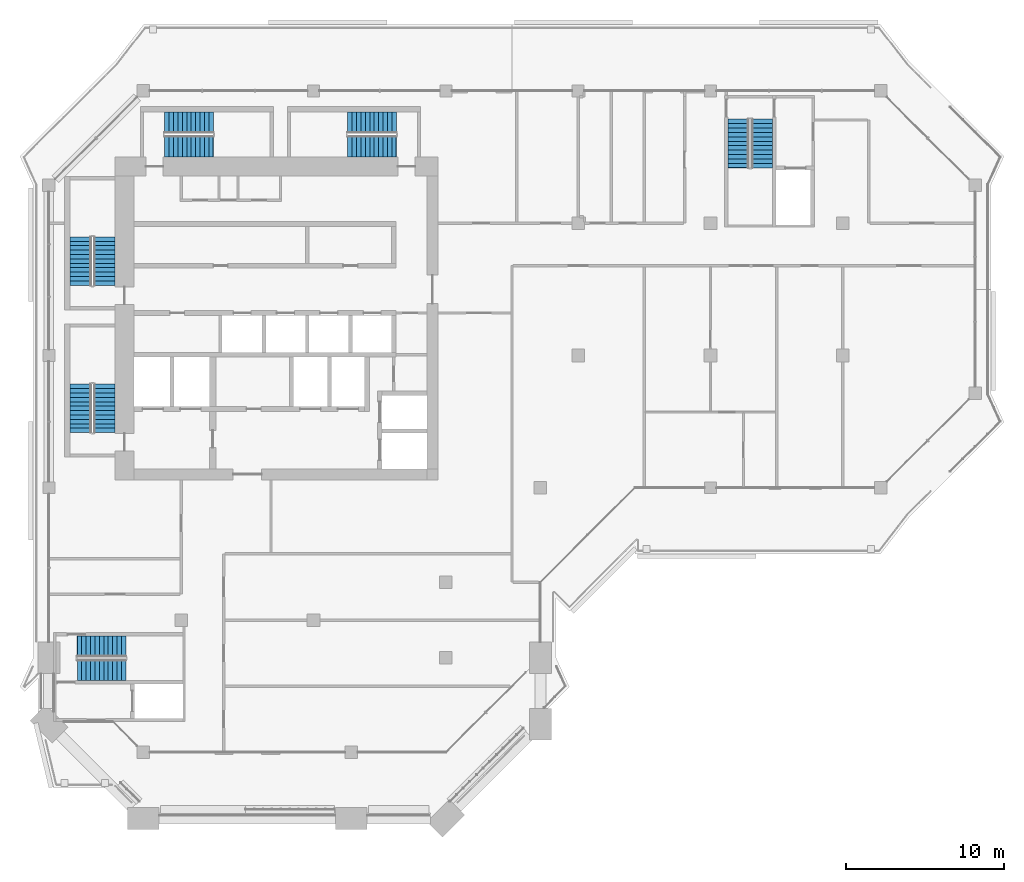
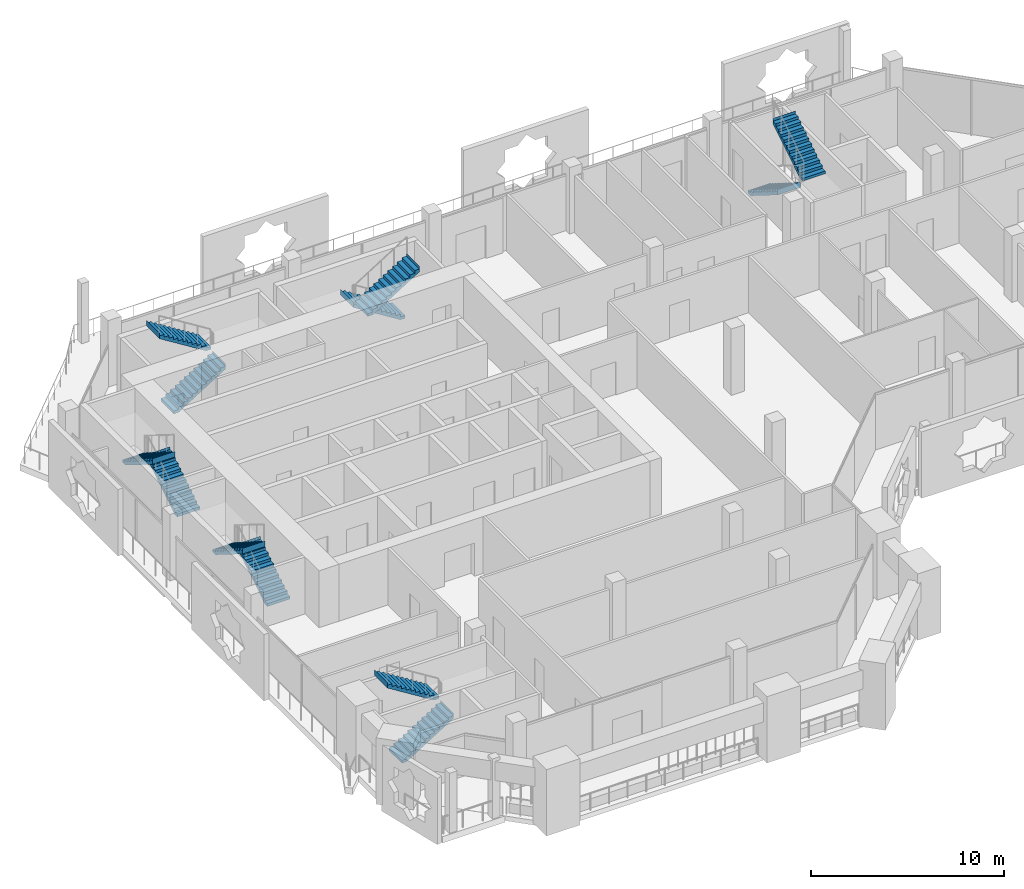
# One storey, part 14 of 20: 12 stair flights, 6 elements without a shape of their own.
"""IFC4 building model written with IfcOpenShell, lengths in metres."""

from ifc_helpers import new_model, si_unit, direction, frame, origin, place, context, subcontext, project, spatial, polyline, outline, extrude, material, type_object, element, aggregate, save


model = new_model("IFC4")

# Units and contexts
model_context = context("Model", 3, precision=1e-05, world=origin(), true_north=direction((0.0, 1.0)))
body_context = subcontext(model_context, "Body", "Model", "MODEL_VIEW")
ifc_project = project(units=[si_unit("LENGTHUNIT", "METRE"), si_unit("AREAUNIT", "SQUARE_METRE"), si_unit("VOLUMEUNIT", "CUBIC_METRE"), si_unit("PLANEANGLEUNIT", "RADIAN"), si_unit("MASSUNIT", "GRAM", prefix="KILO")], contexts=[model_context])

# Site, building, storey
site_placement = place(None, origin())
site = spatial("IfcSite", under=ifc_project, at=site_placement, CompositionType="ELEMENT")
building_placement = place(site_placement, origin())
building = spatial("IfcBuilding", under=site, at=building_placement, Name="Kawkab Arch Medical Tower", CompositionType="ELEMENT")
storey_placement = place(building_placement, frame((0.0, 0.0, 290.199951171875)))
storey = spatial("IfcBuildingStorey", under=building, at=storey_placement, Name="L67", CompositionType="ELEMENT", Elevation=290.199951171875)

# Stair, stair flights
ifc_material_1 = material(Name="Concrete C40/50", Category="concrete")
stair_type = type_object("IfcStairType", Name="Exit stair 1350", PredefinedType="HALF_TURN_STAIR", material=ifc_material_1)
placement = place(storey_placement, origin())
stair_1 = element("IfcStair", 1, at=placement, inside=storey, type_object=stair_type, Name="L67 Exit stair ST1", PredefinedType="HALF_TURN_STAIR")
ifc_material_2 = material(Name="Concrete C40/50", Category="concrete")
stair_flight_type = type_object("IfcStairFlightType", Name="Exit stair flight 1350", PredefinedType="STRAIGHT", material=ifc_material_2)
stair_flight_1_placement = place(storey_placement, frame((3.52490234375, -12.35009765625, 0.0), z_axis=(0.0, 0.0, 1.0), x_axis=(0.0, 1.0, 0.0)))
stair_flight_1 = element("IfcStairFlight", 2, at=stair_flight_1_placement, type_object=stair_flight_type, Name="ST1 flight 1", NumberOfRisers=12, NumberOfTreads=11, PredefinedType="STRAIGHT", RiserHeight=0.175, TreadLength=0.28, context=body_context, shape_type="SweptSolid", body=[
    extrude(outline(polyline([(-0.0029296875, 0.0), (-0.0029296875, 0.175048828125), (0.0, 0.175048828125), (0.280029296875, 0.175048828125), (0.280029296875, 0.35009765625), (0.56005859375, 0.35009765625), (0.56005859375, 0.52490234375), (0.840087890625, 0.52490234375), (0.840087890625, 0.699951171875), (1.1201171875, 0.699951171875), (1.1201171875, 0.875), (1.39990234375, 0.875), (1.39990234375, 1.050048828125), (1.679931640625, 1.050048828125), (1.679931640625, 1.22509765625), (1.9599609375, 1.22509765625), (1.9599609375, 1.39990234375), (2.239990234375, 1.39990234375), (2.239990234375, 1.574951171875), (2.52001953125, 1.574951171875), (2.52001953125, 1.75), (2.800048828125, 1.75), (2.800048828125, 1.925048828125), (3.080078125, 1.925048828125), (3.080078125, 2.10009765625), (3.0830078125, 2.10009765625), (3.0830078125, 1.748291015625), (3.080078125, 1.748291015625), (0.28271484375, 0.0), (-0.0029296875, 0.0)])), frame((0.0, 0.675048828125, 0.0), z_axis=(0.0, -1.0, 0.0), x_axis=(1.0, 0.0, 0.0)), (0.0, 0.0, 1.0), 1.35009765625),
])
stair_flight_2_placement = place(storey_placement, frame((2.02490234375, -9.27001953125, 2.10009765625), z_axis=(0.0, 0.0, 1.0), x_axis=(0.0, -1.0, 0.0)))
stair_flight_2 = element("IfcStairFlight", 3, at=stair_flight_2_placement, type_object=stair_flight_type, Name="ST1 flight 2", NumberOfRisers=12, NumberOfTreads=11, PredefinedType="STRAIGHT", RiserHeight=0.175, TreadLength=0.28, context=body_context, shape_type="SweptSolid", body=[
    extrude(outline(polyline([(-0.0029296875, 0.0), (-0.0029296875, 0.175048828125), (0.0, 0.175048828125), (0.280029296875, 0.175048828125), (0.280029296875, 0.35009765625), (0.56005859375, 0.35009765625), (0.56005859375, 0.52490234375), (0.840087890625, 0.52490234375), (0.840087890625, 0.699951171875), (1.1201171875, 0.699951171875), (1.1201171875, 0.875), (1.39990234375, 0.875), (1.39990234375, 1.050048828125), (1.679931640625, 1.050048828125), (1.679931640625, 1.22509765625), (1.9599609375, 1.22509765625), (1.9599609375, 1.39990234375), (2.239990234375, 1.39990234375), (2.239990234375, 1.574951171875), (2.52001953125, 1.574951171875), (2.52001953125, 1.75), (2.800048828125, 1.75), (2.800048828125, 1.925048828125), (3.080078125, 1.925048828125), (3.080078125, 2.10009765625), (3.0830078125, 2.10009765625), (3.0830078125, 1.748291015625), (3.080078125, 1.748291015625), (0.28271484375, 0.0), (-0.0029296875, 0.0)])), frame((0.0, 0.675048828125, 0.0), z_axis=(0.0, -1.0, 0.0), x_axis=(1.0, 0.0, 0.0)), (0.0, 0.0, 1.0), 1.35009765625),
])
aggregate(stair_1, [stair_flight_1, stair_flight_2])

stair_2 = element("IfcStair", 4, at=placement, inside=storey, type_object=stair_type, Name="L67 Exit stair ST2", PredefinedType="HALF_TURN_STAIR")
stair_flight_3_placement = place(storey_placement, frame((3.52490234375, -21.699951171875, 0.0), z_axis=(0.0, 0.0, 1.0), x_axis=(0.0, 1.0, 0.0)))
stair_flight_3 = element("IfcStairFlight", 5, at=stair_flight_3_placement, type_object=stair_flight_type, Name="ST2 flight 1", NumberOfRisers=12, NumberOfTreads=11, PredefinedType="STRAIGHT", RiserHeight=0.175, TreadLength=0.28, context=body_context, shape_type="SweptSolid", body=[
    extrude(outline(polyline([(-0.0029296875, 0.0), (-0.0029296875, 0.175048828125), (0.0, 0.175048828125), (0.280029296875, 0.175048828125), (0.280029296875, 0.35009765625), (0.56005859375, 0.35009765625), (0.56005859375, 0.52490234375), (0.840087890625, 0.52490234375), (0.840087890625, 0.699951171875), (1.1201171875, 0.699951171875), (1.1201171875, 0.875), (1.39990234375, 0.875), (1.39990234375, 1.050048828125), (1.679931640625, 1.050048828125), (1.679931640625, 1.22509765625), (1.9599609375, 1.22509765625), (1.9599609375, 1.39990234375), (2.239990234375, 1.39990234375), (2.239990234375, 1.574951171875), (2.52001953125, 1.574951171875), (2.52001953125, 1.75), (2.800048828125, 1.75), (2.800048828125, 1.925048828125), (3.080078125, 1.925048828125), (3.080078125, 2.10009765625), (3.0830078125, 2.10009765625), (3.0830078125, 1.748291015625), (3.080078125, 1.748291015625), (0.28271484375, 0.0), (-0.0029296875, 0.0)])), frame((0.0, 0.675048828125, 0.0), z_axis=(0.0, -1.0, 0.0), x_axis=(1.0, 0.0, 0.0)), (0.0, 0.0, 1.0), 1.35009765625),
])
stair_flight_4_placement = place(storey_placement, frame((2.02490234375, -18.6201171875, 2.10009765625), z_axis=(0.0, 0.0, 1.0), x_axis=(0.0, -1.0, 0.0)))
stair_flight_4 = element("IfcStairFlight", 6, at=stair_flight_4_placement, type_object=stair_flight_type, Name="ST2 flight 2", NumberOfRisers=12, NumberOfTreads=11, PredefinedType="STRAIGHT", RiserHeight=0.175, TreadLength=0.28, context=body_context, shape_type="SweptSolid", body=[
    extrude(outline(polyline([(-0.0029296875, 0.0), (-0.0029296875, 0.175048828125), (0.0, 0.175048828125), (0.280029296875, 0.175048828125), (0.280029296875, 0.35009765625), (0.56005859375, 0.35009765625), (0.56005859375, 0.52490234375), (0.840087890625, 0.52490234375), (0.840087890625, 0.699951171875), (1.1201171875, 0.699951171875), (1.1201171875, 0.875), (1.39990234375, 0.875), (1.39990234375, 1.050048828125), (1.679931640625, 1.050048828125), (1.679931640625, 1.22509765625), (1.9599609375, 1.22509765625), (1.9599609375, 1.39990234375), (2.239990234375, 1.39990234375), (2.239990234375, 1.574951171875), (2.52001953125, 1.574951171875), (2.52001953125, 1.75), (2.800048828125, 1.75), (2.800048828125, 1.925048828125), (3.080078125, 1.925048828125), (3.080078125, 2.10009765625), (3.0830078125, 2.10009765625), (3.0830078125, 1.748291015625), (3.080078125, 1.748291015625), (0.28271484375, 0.0), (-0.0029296875, 0.0)])), frame((0.0, 0.675048828125, 0.0), z_axis=(0.0, -1.0, 0.0), x_axis=(1.0, 0.0, 0.0)), (0.0, 0.0, 1.0), 1.35009765625),
])
aggregate(stair_2, [stair_flight_3, stair_flight_4])

stair_3 = element("IfcStair", 7, at=placement, inside=storey, type_object=stair_type, Name="L67 Exit stair ST3", PredefinedType="HALF_TURN_STAIR")
stair_flight_5_placement = place(storey_placement, frame((7.35009765625, -3.52490234375, 0.0), z_axis=(0.0, 0.0, 1.0), x_axis=(1.0, 0.0, 0.0)))
stair_flight_5 = element("IfcStairFlight", 8, at=stair_flight_5_placement, type_object=stair_flight_type, Name="ST3 flight 1", NumberOfRisers=12, NumberOfTreads=11, PredefinedType="STRAIGHT", RiserHeight=0.175, TreadLength=0.28, context=body_context, shape_type="SweptSolid", body=[
    extrude(outline(polyline([(-0.0029296875, 0.0), (-0.0029296875, 0.175048828125), (0.0, 0.175048828125), (0.280029296875, 0.175048828125), (0.280029296875, 0.35009765625), (0.56005859375, 0.35009765625), (0.56005859375, 0.52490234375), (0.840087890625, 0.52490234375), (0.840087890625, 0.699951171875), (1.1201171875, 0.699951171875), (1.1201171875, 0.875), (1.39990234375, 0.875), (1.39990234375, 1.050048828125), (1.679931640625, 1.050048828125), (1.679931640625, 1.22509765625), (1.9599609375, 1.22509765625), (1.9599609375, 1.39990234375), (2.239990234375, 1.39990234375), (2.239990234375, 1.574951171875), (2.52001953125, 1.574951171875), (2.52001953125, 1.75), (2.800048828125, 1.75), (2.800048828125, 1.925048828125), (3.080078125, 1.925048828125), (3.080078125, 2.10009765625), (3.0830078125, 2.10009765625), (3.0830078125, 1.748291015625), (3.080078125, 1.748291015625), (0.28271484375, 0.0), (-0.0029296875, 0.0)])), frame((0.0, 0.675048828125, 0.0), z_axis=(0.0, -1.0, 0.0), x_axis=(1.0, 0.0, 0.0)), (0.0, 0.0, 1.0), 1.35009765625),
])
stair_flight_6_placement = place(storey_placement, frame((10.429931640625, -2.02490234375, 2.10009765625), z_axis=(0.0, 0.0, 1.0), x_axis=(-1.0, 0.0, 0.0)))
stair_flight_6 = element("IfcStairFlight", 9, at=stair_flight_6_placement, type_object=stair_flight_type, Name="ST3 flight 2", NumberOfRisers=12, NumberOfTreads=11, PredefinedType="STRAIGHT", RiserHeight=0.175, TreadLength=0.28, context=body_context, shape_type="SweptSolid", body=[
    extrude(outline(polyline([(-0.0029296875, 0.0), (-0.0029296875, 0.175048828125), (0.0, 0.175048828125), (0.280029296875, 0.175048828125), (0.280029296875, 0.35009765625), (0.56005859375, 0.35009765625), (0.56005859375, 0.52490234375), (0.840087890625, 0.52490234375), (0.840087890625, 0.699951171875), (1.1201171875, 0.699951171875), (1.1201171875, 0.875), (1.39990234375, 0.875), (1.39990234375, 1.050048828125), (1.679931640625, 1.050048828125), (1.679931640625, 1.22509765625), (1.9599609375, 1.22509765625), (1.9599609375, 1.39990234375), (2.239990234375, 1.39990234375), (2.239990234375, 1.574951171875), (2.52001953125, 1.574951171875), (2.52001953125, 1.75), (2.800048828125, 1.75), (2.800048828125, 1.925048828125), (3.080078125, 1.925048828125), (3.080078125, 2.10009765625), (3.0830078125, 2.10009765625), (3.0830078125, 1.748291015625), (3.080078125, 1.748291015625), (0.28271484375, 0.0), (-0.0029296875, 0.0)])), frame((0.0, 0.675048828125, 0.0), z_axis=(0.0, -1.0, 0.0), x_axis=(1.0, 0.0, 0.0)), (0.0, 0.0, 1.0), 1.35009765625),
])
aggregate(stair_3, [stair_flight_5, stair_flight_6])

stair_4 = element("IfcStair", 10, at=placement, inside=storey, type_object=stair_type, Name="L67 Exit stair ST4", PredefinedType="HALF_TURN_STAIR")
stair_flight_7_placement = place(storey_placement, frame((22.050048828125, -2.02490234375, 0.0), z_axis=(0.0, 0.0, 1.0), x_axis=(-1.0, 0.0, 0.0)))
stair_flight_7 = element("IfcStairFlight", 11, at=stair_flight_7_placement, type_object=stair_flight_type, Name="ST4 flight 1", NumberOfRisers=12, NumberOfTreads=11, PredefinedType="STRAIGHT", RiserHeight=0.175, TreadLength=0.28, context=body_context, shape_type="SweptSolid", body=[
    extrude(outline(polyline([(-0.0029296875, 0.0), (-0.0029296875, 0.175048828125), (0.0, 0.175048828125), (0.280029296875, 0.175048828125), (0.280029296875, 0.35009765625), (0.56005859375, 0.35009765625), (0.56005859375, 0.52490234375), (0.840087890625, 0.52490234375), (0.840087890625, 0.699951171875), (1.1201171875, 0.699951171875), (1.1201171875, 0.875), (1.39990234375, 0.875), (1.39990234375, 1.050048828125), (1.679931640625, 1.050048828125), (1.679931640625, 1.22509765625), (1.9599609375, 1.22509765625), (1.9599609375, 1.39990234375), (2.239990234375, 1.39990234375), (2.239990234375, 1.574951171875), (2.52001953125, 1.574951171875), (2.52001953125, 1.75), (2.800048828125, 1.75), (2.800048828125, 1.925048828125), (3.080078125, 1.925048828125), (3.080078125, 2.10009765625), (3.0830078125, 2.10009765625), (3.0830078125, 1.748291015625), (3.080078125, 1.748291015625), (0.28271484375, 0.0), (-0.0029296875, 0.0)])), frame((0.0, 0.675048828125, 0.0), z_axis=(0.0, -1.0, 0.0), x_axis=(1.0, 0.0, 0.0)), (0.0, 0.0, 1.0), 1.35009765625),
])
stair_flight_8_placement = place(storey_placement, frame((18.969970703125, -3.52490234375, 2.10009765625), z_axis=(0.0, 0.0, 1.0), x_axis=(1.0, 0.0, 0.0)))
stair_flight_8 = element("IfcStairFlight", 12, at=stair_flight_8_placement, type_object=stair_flight_type, Name="ST4 flight 2", NumberOfRisers=12, NumberOfTreads=11, PredefinedType="STRAIGHT", RiserHeight=0.175, TreadLength=0.28, context=body_context, shape_type="SweptSolid", body=[
    extrude(outline(polyline([(-0.0029296875, 0.0), (-0.0029296875, 0.175048828125), (0.0, 0.175048828125), (0.280029296875, 0.175048828125), (0.280029296875, 0.35009765625), (0.56005859375, 0.35009765625), (0.56005859375, 0.52490234375), (0.840087890625, 0.52490234375), (0.840087890625, 0.699951171875), (1.1201171875, 0.699951171875), (1.1201171875, 0.875), (1.39990234375, 0.875), (1.39990234375, 1.050048828125), (1.679931640625, 1.050048828125), (1.679931640625, 1.22509765625), (1.9599609375, 1.22509765625), (1.9599609375, 1.39990234375), (2.239990234375, 1.39990234375), (2.239990234375, 1.574951171875), (2.52001953125, 1.574951171875), (2.52001953125, 1.75), (2.800048828125, 1.75), (2.800048828125, 1.925048828125), (3.080078125, 1.925048828125), (3.080078125, 2.10009765625), (3.0830078125, 2.10009765625), (3.0830078125, 1.748291015625), (3.080078125, 1.748291015625), (0.28271484375, 0.0), (-0.0029296875, 0.0)])), frame((0.0, 0.675048828125, 0.0), z_axis=(0.0, -1.0, 0.0), x_axis=(1.0, 0.0, 0.0)), (0.0, 0.0, 1.0), 1.35009765625),
])
aggregate(stair_4, [stair_flight_7, stair_flight_8])

stair_5 = element("IfcStair", 13, at=placement, inside=storey, type_object=stair_type, Name="L67 Exit stair ST5", PredefinedType="HALF_TURN_STAIR")
stair_flight_9_placement = place(storey_placement, frame((43.77490234375, -1.800048828125, 0.0), z_axis=(0.0, 0.0, 1.0), x_axis=(0.0, -1.0, 0.0)))
stair_flight_9 = element("IfcStairFlight", 14, at=stair_flight_9_placement, type_object=stair_flight_type, Name="ST5 flight 1", NumberOfRisers=12, NumberOfTreads=11, PredefinedType="STRAIGHT", RiserHeight=0.175, TreadLength=0.28, context=body_context, shape_type="SweptSolid", body=[
    extrude(outline(polyline([(-0.0029296875, 0.0), (-0.0029296875, 0.175048828125), (0.0, 0.175048828125), (0.280029296875, 0.175048828125), (0.280029296875, 0.35009765625), (0.56005859375, 0.35009765625), (0.56005859375, 0.52490234375), (0.840087890625, 0.52490234375), (0.840087890625, 0.699951171875), (1.1201171875, 0.699951171875), (1.1201171875, 0.875), (1.39990234375, 0.875), (1.39990234375, 1.050048828125), (1.679931640625, 1.050048828125), (1.679931640625, 1.22509765625), (1.9599609375, 1.22509765625), (1.9599609375, 1.39990234375), (2.239990234375, 1.39990234375), (2.239990234375, 1.574951171875), (2.52001953125, 1.574951171875), (2.52001953125, 1.75), (2.800048828125, 1.75), (2.800048828125, 1.925048828125), (3.080078125, 1.925048828125), (3.080078125, 2.10009765625), (3.0830078125, 2.10009765625), (3.0830078125, 1.748291015625), (3.080078125, 1.748291015625), (0.28271484375, 0.0), (-0.0029296875, 0.0)])), frame((0.0, 0.675048828125, 0.0), z_axis=(0.0, -1.0, 0.0), x_axis=(1.0, 0.0, 0.0)), (0.0, 0.0, 1.0), 1.35009765625),
])
stair_flight_10_placement = place(storey_placement, frame((45.27490234375, -4.8798828125, 2.10009765625), z_axis=(0.0, 0.0, 1.0), x_axis=(0.0, 1.0, 0.0)))
stair_flight_10 = element("IfcStairFlight", 15, at=stair_flight_10_placement, type_object=stair_flight_type, Name="ST5 flight 2", NumberOfRisers=12, NumberOfTreads=11, PredefinedType="STRAIGHT", RiserHeight=0.175, TreadLength=0.28, context=body_context, shape_type="SweptSolid", body=[
    extrude(outline(polyline([(-0.0029296875, 0.0), (-0.0029296875, 0.175048828125), (0.0, 0.175048828125), (0.280029296875, 0.175048828125), (0.280029296875, 0.35009765625), (0.56005859375, 0.35009765625), (0.56005859375, 0.52490234375), (0.840087890625, 0.52490234375), (0.840087890625, 0.699951171875), (1.1201171875, 0.699951171875), (1.1201171875, 0.875), (1.39990234375, 0.875), (1.39990234375, 1.050048828125), (1.679931640625, 1.050048828125), (1.679931640625, 1.22509765625), (1.9599609375, 1.22509765625), (1.9599609375, 1.39990234375), (2.239990234375, 1.39990234375), (2.239990234375, 1.574951171875), (2.52001953125, 1.574951171875), (2.52001953125, 1.75), (2.800048828125, 1.75), (2.800048828125, 1.925048828125), (3.080078125, 1.925048828125), (3.080078125, 2.10009765625), (3.0830078125, 2.10009765625), (3.0830078125, 1.748291015625), (3.080078125, 1.748291015625), (0.28271484375, 0.0), (-0.0029296875, 0.0)])), frame((0.0, 0.675048828125, 0.0), z_axis=(0.0, -1.0, 0.0), x_axis=(1.0, 0.0, 0.0)), (0.0, 0.0, 1.0), 1.35009765625),
])
aggregate(stair_5, [stair_flight_9, stair_flight_10])

stair_6 = element("IfcStair", 16, at=placement, inside=storey, type_object=stair_type, Name="L67 Exit stair ST6", PredefinedType="HALF_TURN_STAIR")
stair_flight_11_placement = place(storey_placement, frame((1.800048828125, -36.77490234375, 0.0), z_axis=(0.0, 0.0, 1.0), x_axis=(1.0, 0.0, 0.0)))
stair_flight_11 = element("IfcStairFlight", 17, at=stair_flight_11_placement, type_object=stair_flight_type, Name="ST6 flight 1", NumberOfRisers=12, NumberOfTreads=11, PredefinedType="STRAIGHT", RiserHeight=0.175, TreadLength=0.28, context=body_context, shape_type="SweptSolid", body=[
    extrude(outline(polyline([(-0.0029296875, 0.0), (-0.0029296875, 0.175048828125), (0.0, 0.175048828125), (0.280029296875, 0.175048828125), (0.280029296875, 0.35009765625), (0.56005859375, 0.35009765625), (0.56005859375, 0.52490234375), (0.840087890625, 0.52490234375), (0.840087890625, 0.699951171875), (1.1201171875, 0.699951171875), (1.1201171875, 0.875), (1.39990234375, 0.875), (1.39990234375, 1.050048828125), (1.679931640625, 1.050048828125), (1.679931640625, 1.22509765625), (1.9599609375, 1.22509765625), (1.9599609375, 1.39990234375), (2.239990234375, 1.39990234375), (2.239990234375, 1.574951171875), (2.52001953125, 1.574951171875), (2.52001953125, 1.75), (2.800048828125, 1.75), (2.800048828125, 1.925048828125), (3.080078125, 1.925048828125), (3.080078125, 2.10009765625), (3.0830078125, 2.10009765625), (3.0830078125, 1.748291015625), (3.080078125, 1.748291015625), (0.28271484375, 0.0), (-0.0029296875, 0.0)])), frame((0.0, 0.675048828125, 0.0), z_axis=(0.0, -1.0, 0.0), x_axis=(1.0, 0.0, 0.0)), (0.0, 0.0, 1.0), 1.35009765625),
])
stair_flight_12_placement = place(storey_placement, frame((4.8798828125, -35.27490234375, 2.10009765625), z_axis=(0.0, 0.0, 1.0), x_axis=(-1.0, 0.0, 0.0)))
stair_flight_12 = element("IfcStairFlight", 18, at=stair_flight_12_placement, type_object=stair_flight_type, Name="ST6 flight 2", NumberOfRisers=12, NumberOfTreads=11, PredefinedType="STRAIGHT", RiserHeight=0.175, TreadLength=0.28, context=body_context, shape_type="SweptSolid", body=[
    extrude(outline(polyline([(-0.0029296875, 0.0), (-0.0029296875, 0.175048828125), (0.0, 0.175048828125), (0.280029296875, 0.175048828125), (0.280029296875, 0.35009765625), (0.56005859375, 0.35009765625), (0.56005859375, 0.52490234375), (0.840087890625, 0.52490234375), (0.840087890625, 0.699951171875), (1.1201171875, 0.699951171875), (1.1201171875, 0.875), (1.39990234375, 0.875), (1.39990234375, 1.050048828125), (1.679931640625, 1.050048828125), (1.679931640625, 1.22509765625), (1.9599609375, 1.22509765625), (1.9599609375, 1.39990234375), (2.239990234375, 1.39990234375), (2.239990234375, 1.574951171875), (2.52001953125, 1.574951171875), (2.52001953125, 1.75), (2.800048828125, 1.75), (2.800048828125, 1.925048828125), (3.080078125, 1.925048828125), (3.080078125, 2.10009765625), (3.0830078125, 2.10009765625), (3.0830078125, 1.748291015625), (3.080078125, 1.748291015625), (0.28271484375, 0.0), (-0.0029296875, 0.0)])), frame((0.0, 0.675048828125, 0.0), z_axis=(0.0, -1.0, 0.0), x_axis=(1.0, 0.0, 0.0)), (0.0, 0.0, 1.0), 1.35009765625),
])
aggregate(stair_6, [stair_flight_11, stair_flight_12])

save(model, "model.ifc")
